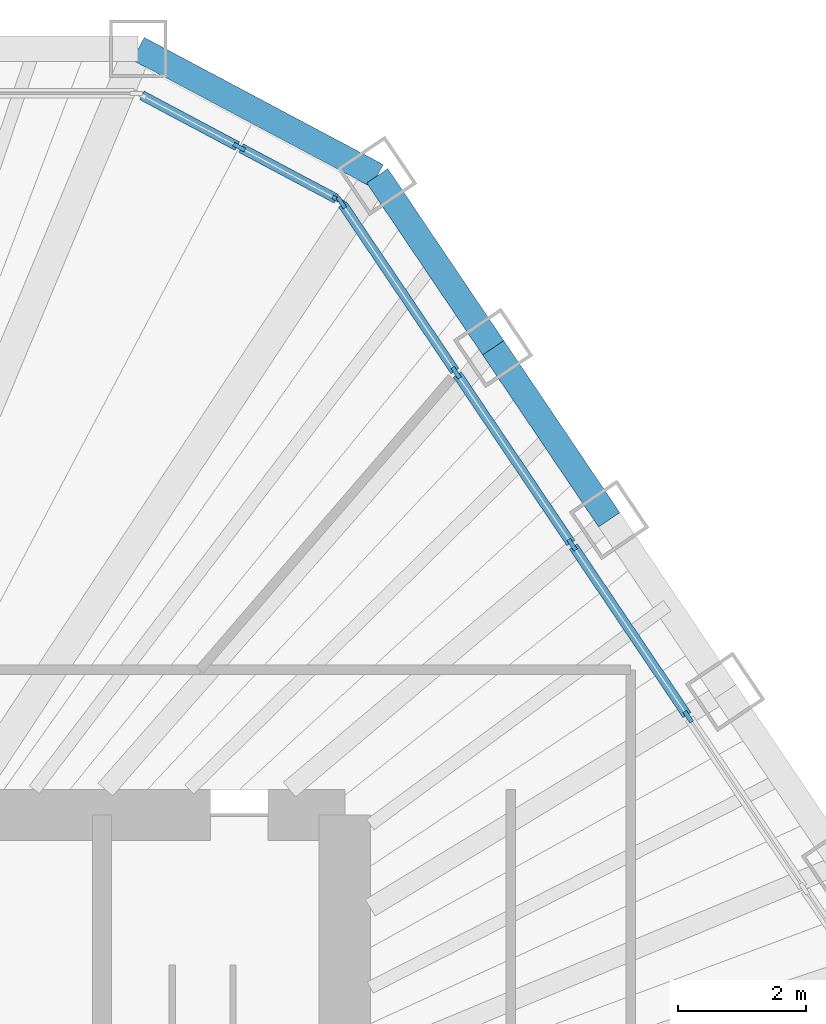
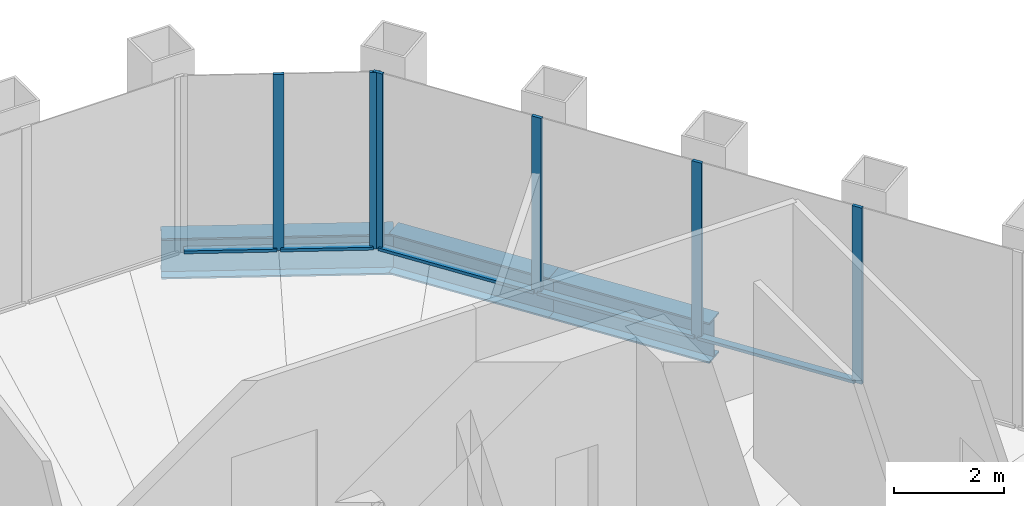
# One storey, part 8 of 14: 11 members, 3 beams, 2 elements without a shape of their own.
"""IFC4 building model written with IfcOpenShell, lengths in metres."""

from ifc_helpers import new_model, si_unit, direction, frame, origin, origin_2d, place, context, subcontext, project, spatial, rectangle, i_section, extrude, material, material_profile, profile_set, type_object, element, aggregate, save


model = new_model("IFC4")

# Units and contexts
model_context = context("Model", 3, precision=1e-05, world=origin(), true_north=direction((0.0, 1.0)))
body_context = subcontext(model_context, "Body", "Model", "MODEL_VIEW")
ifc_project = project(units=[si_unit("LENGTHUNIT", "METRE"), si_unit("AREAUNIT", "SQUARE_METRE"), si_unit("VOLUMEUNIT", "CUBIC_METRE"), si_unit("PLANEANGLEUNIT", "RADIAN"), si_unit("MASSUNIT", "GRAM", prefix="KILO")], contexts=[model_context])

# Site, building, storey
site_placement = place(None, origin())
site = spatial("IfcSite", under=ifc_project, at=site_placement, CompositionType="ELEMENT")
building_placement = place(site_placement, origin())
building = spatial("IfcBuilding", under=site, at=building_placement, Name="Qingtian Harvest Tower", CompositionType="ELEMENT")
storey_placement = place(building_placement, frame((0.0, 0.0, 333.39990234375)))
storey = spatial("IfcBuildingStorey", under=building, at=storey_placement, Name="L74", CompositionType="ELEMENT", Elevation=333.39990234375)

# Curtain wall, members
ifc_material_1 = material(Name="Bronze-anodised aluminium curtain wall", Category="aluminium")
curtain_wall_type = type_object("IfcCurtainWallType", Name="Curtain wall CW6 executive floors", PredefinedType="USERDEFINED", material=ifc_material_1)
curtain_wall_1_placement = place(storey_placement, origin())
curtain_wall_1 = element("IfcCurtainWall", 1, at=curtain_wall_1_placement, inside=storey, type_object=curtain_wall_type, Name="Curtain wall CW6 L74 NC", ObjectType="RECESSED CURTAIN WALL", PredefinedType="USERDEFINED")
ifc_material_2 = material(Name="Bronze-anodised aluminium mullion", Category="aluminium")
ifc_material_profile_1 = material_profile(ifc_material_2, rectangle(XDim=0.06494140625, YDim=0.199951171875, at=origin_2d()), Name="AL 65x200")
ifc_profile_set_1 = profile_set([ifc_material_profile_1], Name="Bronze-anodised aluminium mullion")
member_type_1 = type_object("IfcMemberType", Name="Mullion CWM 65x200", PredefinedType="MULLION", material=ifc_profile_set_1)
member_1_placement = place(storey_placement, frame((10.3466796875, 19.45947265625, 0.0), z_axis=(0.0, 0.0, 1.0), x_axis=(0.469471562786, 0.882947592859, 0.0)))
member_1 = element("IfcMember", 2, at=member_1_placement, type_object=member_type_1, Name="CW6 mullion 2", PredefinedType="MULLION", context=body_context, shape_type="SweptSolid", body=[
    extrude(rectangle(XDim=0.06494140625, YDim=0.199951171875, at=origin_2d()), origin(), (0.0, 0.0, 1.0), 3.920166015625),
])
member_2_placement = place(storey_placement, frame((11.89892578125, 18.634033203125, 0.0), z_axis=(0.0, 0.0, 1.0), x_axis=(0.469471562786, 0.882947592859, 0.0)))
member_2 = element("IfcMember", 3, at=member_2_placement, type_object=member_type_1, Name="CW6 mullion 3", PredefinedType="MULLION", context=body_context, shape_type="SweptSolid", body=[
    extrude(rectangle(XDim=0.06494140625, YDim=0.199951171875, at=origin_2d()), origin(), (0.0, 0.0, 1.0), 3.920166015625),
])

curtain_wall_2_placement = place(storey_placement, origin())
curtain_wall_2 = element("IfcCurtainWall", 4, at=curtain_wall_2_placement, inside=storey, type_object=curtain_wall_type, Name="Curtain wall CW6 L74 NE0-5", ObjectType="RECESSED CURTAIN WALL", PredefinedType="USERDEFINED")
member_3_placement = place(storey_placement, frame((11.94580078125, 18.592041015625, 0.0), z_axis=(0.0, 0.0, 1.0), x_axis=(0.829037572555, 0.559192903471, 0.0)))
member_3 = element("IfcMember", 5, at=member_3_placement, type_object=member_type_1, Name="CW6 mullion 1", PredefinedType="MULLION", context=body_context, shape_type="SweptSolid", body=[
    extrude(rectangle(XDim=0.06494140625, YDim=0.199951171875, at=origin_2d()), origin(), (0.0, 0.0, 1.0), 3.920166015625),
])
member_4_placement = place(storey_placement, frame((13.743896484375, 15.926025390625, 0.0), z_axis=(0.0, 0.0, 1.0), x_axis=(0.829037572555, 0.559192903471, 0.0)))
member_4 = element("IfcMember", 6, at=member_4_placement, type_object=member_type_1, Name="CW6 mullion 2", PredefinedType="MULLION", context=body_context, shape_type="SweptSolid", body=[
    extrude(rectangle(XDim=0.06494140625, YDim=0.199951171875, at=origin_2d()), origin(), (0.0, 0.0, 1.0), 3.920166015625),
])
member_5_placement = place(storey_placement, frame((15.56005859375, 13.2333984375, 0.0), z_axis=(0.0, 0.0, 1.0), x_axis=(0.829037572555, 0.559192903471, 0.0)))
member_5 = element("IfcMember", 7, at=member_5_placement, type_object=member_type_1, Name="CW6 mullion 3", PredefinedType="MULLION", context=body_context, shape_type="SweptSolid", body=[
    extrude(rectangle(XDim=0.06494140625, YDim=0.199951171875, at=origin_2d()), origin(), (0.0, 0.0, 1.0), 3.920166015625),
])
member_6_placement = place(storey_placement, frame((17.37646484375, 10.540771484375, 0.0), z_axis=(0.0, 0.0, 1.0), x_axis=(0.829037572555, 0.559192903471, 0.0)))
member_6 = element("IfcMember", 8, at=member_6_placement, type_object=member_type_1, Name="CW6 mullion 4", PredefinedType="MULLION", context=body_context, shape_type="SweptSolid", body=[
    extrude(rectangle(XDim=0.06494140625, YDim=0.199951171875, at=origin_2d()), origin(), (0.0, 0.0, 1.0), 3.920166015625),
])

# Beams
ifc_material_3 = material(Name="Steel SN490B", Category="steel")
ifc_material_profile_2 = material_profile(ifc_material_3, i_section(OverallWidth=0.39990234375, OverallDepth=0.89990234375, WebThickness=0.01904296875, FlangeThickness=0.035888671875, at=origin_2d()), Name="H900x400x19x36")
ifc_profile_set_2 = profile_set([ifc_material_profile_2], Name="Steel SN490B")
beam_type = type_object("IfcBeamType", Name="Spandrel beam SB4 H900x400x19x36", PredefinedType="SPANDREL", material=ifc_profile_set_2)
beam_1_placement = place(storey_placement, frame((8.765869140625, 21.0, -0.449951171875), z_axis=(0.882948599748, -0.469469669099, 0.0), x_axis=(0.469469669099, 0.882948599748, 0.0)))
element("IfcBeam", 9, at=beam_1_placement, inside=storey, type_object=beam_type, Name="Spandrel SB4 NC", PredefinedType="SPANDREL", context=body_context, shape_type="SweptSolid", body=[
    extrude(i_section(OverallWidth=0.39990234375, OverallDepth=0.89990234375, WebThickness=0.01904296875, FlangeThickness=0.035888671875, at=origin_2d()), origin(), (0.0, 0.0, 1.0), 4.23828125),
])
beam_2_placement = place(storey_placement, frame((12.508056640625, 19.01025390625, -0.449951171875), z_axis=(0.559184924833, -0.829042954158, 0.0), x_axis=(0.829042954158, 0.559184924833, 0.0)))
element("IfcBeam", 10, at=beam_2_placement, inside=storey, type_object=beam_type, Name="Spandrel SB4 NE0", PredefinedType="SPANDREL", context=body_context, shape_type="SweptSolid", body=[
    extrude(i_section(OverallWidth=0.39990234375, OverallDepth=0.89990234375, WebThickness=0.01904296875, FlangeThickness=0.035888671875, at=origin_2d()), origin(), (0.0, 0.0, 1.0), 3.247802734375),
])
beam_3_placement = place(storey_placement, frame((14.32421875, 16.317626953125, -0.449951171875), z_axis=(0.559201740147, -0.829031612073, 0.0), x_axis=(0.829031612073, 0.559201740147, 0.0)))
element("IfcBeam", 11, at=beam_3_placement, inside=storey, type_object=beam_type, Name="Spandrel SB4 NE1", PredefinedType="SPANDREL", context=body_context, shape_type="SweptSolid", body=[
    extrude(i_section(OverallWidth=0.39990234375, OverallDepth=0.89990234375, WebThickness=0.01904296875, FlangeThickness=0.035888671875, at=origin_2d()), origin(), (0.0, 0.0, 1.0), 3.248291015625),
])

# Member
ifc_material_4 = material(Name="Bronze-anodised aluminium transom", Category="aluminium")
ifc_material_profile_3 = material_profile(ifc_material_4, rectangle(XDim=0.14990234375, YDim=0.06494140625, at=origin_2d()), Name="AL 65x150")
ifc_profile_set_3 = profile_set([ifc_material_profile_3], Name="Bronze-anodised aluminium transom")
member_type_2 = type_object("IfcMemberType", Name="Transom CWT 65x150", PredefinedType="USERDEFINED", material=ifc_profile_set_3)
member_7_placement = place(storey_placement, frame((8.8232421875, 20.26953125, 0.03271484375), z_axis=(0.882927080927, -0.469510138086, 0.0), x_axis=(0.469510138086, 0.882927080927, 0.0)))
member_7 = element("IfcMember", 12, at=member_7_placement, type_object=member_type_2, Name="CW6 transom 1.1", ObjectType="TRANSOM", PredefinedType="USERDEFINED", context=body_context, shape_type="SweptSolid", body=[
    extrude(rectangle(XDim=0.14990234375, YDim=0.06494140625, at=origin_2d()), origin(), (0.0, 0.0, 1.0), 1.693115234375),
])

member_8_placement = place(storey_placement, frame((10.37548828125, 19.444091796875, 0.03271484375), z_axis=(0.882986854304, -0.469397715297, 0.0), x_axis=(0.469397715297, 0.882986854304, 0.0)))
member_8 = element("IfcMember", 13, at=member_8_placement, type_object=member_type_2, Name="CW6 transom 2.1", ObjectType="TRANSOM", PredefinedType="USERDEFINED", context=body_context, shape_type="SweptSolid", body=[
    extrude(rectangle(XDim=0.14990234375, YDim=0.06494140625, at=origin_2d()), origin(), (0.0, 0.0, 1.0), 1.69287109375),
])

aggregate(curtain_wall_1, [member_1, member_2, member_7, member_8])

member_9_placement = place(storey_placement, frame((11.9638671875, 18.56494140625, 0.03271484375), z_axis=(0.559251907839, -0.828997770551, 0.0), x_axis=(0.828997770551, 0.559251907839, 0.0)))
member_9 = element("IfcMember", 14, at=member_9_placement, type_object=member_type_2, Name="CW6 transom 1.1", ObjectType="TRANSOM", PredefinedType="USERDEFINED", context=body_context, shape_type="SweptSolid", body=[
    extrude(rectangle(XDim=0.14990234375, YDim=0.06494140625, at=origin_2d()), origin(), (0.0, 0.0, 1.0), 3.150634765625),
])

member_10_placement = place(storey_placement, frame((13.761962890625, 15.899169921875, 0.03271484375), z_axis=(0.55920542009, -0.829029129852, 0.0), x_axis=(0.829029129852, 0.55920542009, 0.0)))
member_10 = element("IfcMember", 15, at=member_10_placement, type_object=member_type_2, Name="CW6 transom 2.1", ObjectType="TRANSOM", PredefinedType="USERDEFINED", context=body_context, shape_type="SweptSolid", body=[
    extrude(rectangle(XDim=0.14990234375, YDim=0.06494140625, at=origin_2d()), origin(), (0.0, 0.0, 1.0), 3.18310546875),
])

member_11_placement = place(storey_placement, frame((15.578369140625, 13.20654296875, 0.03271484375), z_axis=(0.55920542009, -0.829029129852, 0.0), x_axis=(0.829029129852, 0.55920542009, 0.0)))
member_11 = element("IfcMember", 16, at=member_11_placement, type_object=member_type_2, Name="CW6 transom 3.1", ObjectType="TRANSOM", PredefinedType="USERDEFINED", context=body_context, shape_type="SweptSolid", body=[
    extrude(rectangle(XDim=0.14990234375, YDim=0.06494140625, at=origin_2d()), origin(), (0.0, 0.0, 1.0), 3.18310546875),
])

aggregate(curtain_wall_2, [member_3, member_4, member_5, member_6, member_9, member_10, member_11])

save(model, "model.ifc")
